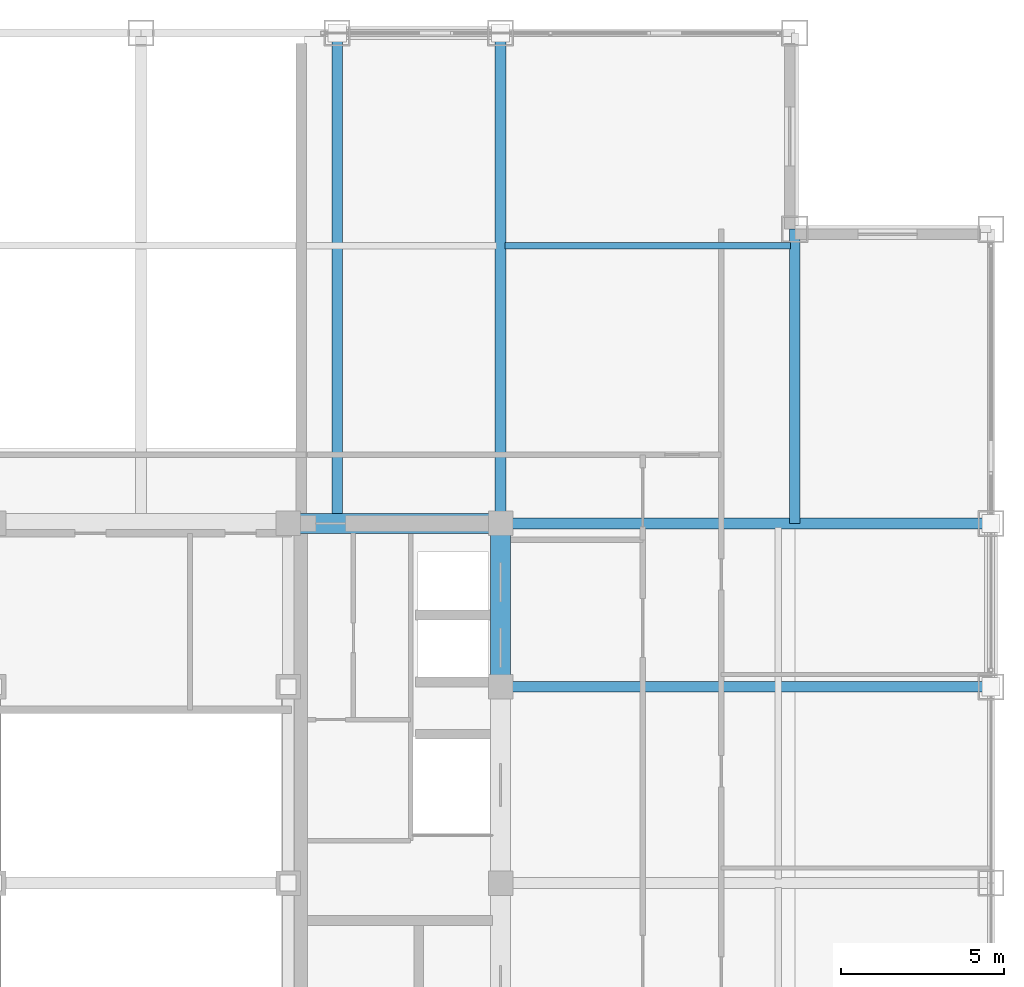
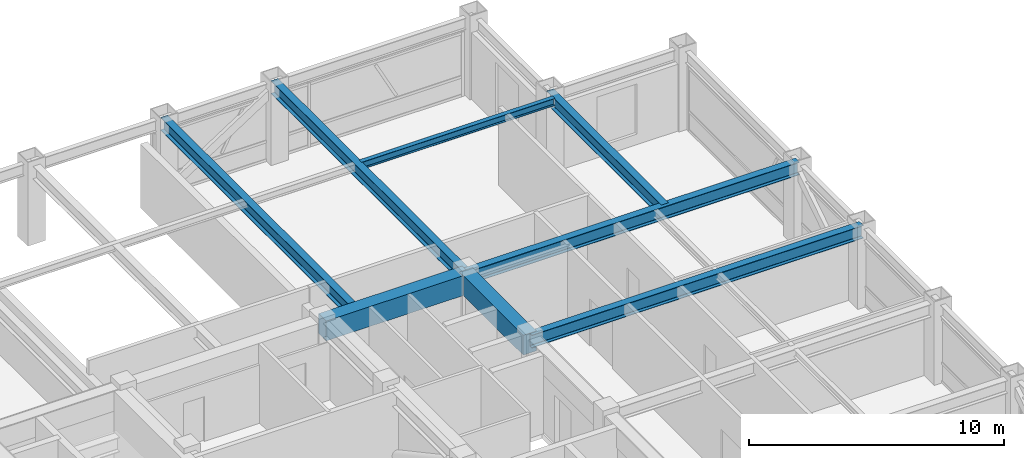
# One storey, part 21 of 29: 8 beams.
"""IFC4 building model written with IfcOpenShell, lengths in metres."""

from ifc_helpers import new_model, si_unit, direction, frame, origin, origin_2d, place, context, subcontext, project, spatial, rectangle, i_section, extrude, source, transform, mapped, material, material_profile, profile_set, type_object, element, save


model = new_model("IFC4")

# Units and contexts
model_context = context("Model", 3, precision=1e-05, world=origin(), true_north=direction((0.0, 1.0)))
body_context = subcontext(model_context, "Body", "Model", "MODEL_VIEW")
ifc_project = project(units=[si_unit("LENGTHUNIT", "METRE"), si_unit("AREAUNIT", "SQUARE_METRE"), si_unit("VOLUMEUNIT", "CUBIC_METRE"), si_unit("PLANEANGLEUNIT", "RADIAN"), si_unit("MASSUNIT", "GRAM", prefix="KILO")], contexts=[model_context])

# Site, building, storey
site_placement = place(None, origin())
site = spatial("IfcSite", under=ifc_project, at=site_placement, CompositionType="ELEMENT")
building_placement = place(site_placement, origin())
building = spatial("IfcBuilding", under=site, at=building_placement, Name="Khorayat Bourse Tower", CompositionType="ELEMENT")
storey_placement = place(building_placement, frame((0.0, 0.0, 354.300048828125)))
storey = spatial("IfcBuildingStorey", under=building, at=storey_placement, Name="L84", CompositionType="ELEMENT", Elevation=354.300048828125)

# Beams
ifc_material_1 = material(Name="Concrete C60/75", Category="concrete")
ifc_material_profile_1 = material_profile(ifc_material_1, rectangle(XDim=0.60009765625, YDim=0.949951171875, at=origin_2d()), Name="RC 600x950")
ifc_profile_set_1 = profile_set([ifc_material_profile_1], Name="Concrete C60/75")
beam_type_1 = type_object("IfcBeamType", Name="BM-COUP-950", PredefinedType="BEAM", material=ifc_profile_set_1)
shared_shape_1 = source(origin(), body_context, "Body", "SweptSolid", [
    extrude(rectangle(XDim=0.60009765625, YDim=0.949951171875, at=origin_2d()), origin(), (0.0, 0.0, 1.0), 5.0),
])
beam_1_placement = place(storey_placement, frame((11.0, 6.0, 3.264892578125), z_axis=(0.0, 1.0, 0.0), x_axis=(-1.0, 0.0, 0.0)))
element("IfcBeam", 1, at=beam_1_placement, inside=storey, type_object=beam_type_1, Name="L84 BM-COUP-950 BM-L84-CRX-16", PredefinedType="BEAM", context=body_context, shape_type="MappedRepresentation", body=[
    mapped(shared_shape_1, transform((0.0, 0.0, 0.0), scale=1.0)),
])
shared_shape_2 = source(origin(), body_context, "Body", "SweptSolid", [
    extrude(rectangle(XDim=0.60009765625, YDim=0.949951171875, at=origin_2d()), origin(), (0.0, 0.0, 1.0), 6.5),
])
beam_2_placement = place(storey_placement, frame((4.5, 11.0, 3.264892578125), z_axis=(1.0, 0.0, 0.0), x_axis=(0.0, 1.0, 0.0)))
element("IfcBeam", 2, at=beam_2_placement, inside=storey, type_object=beam_type_1, Name="L84 BM-COUP-950 BM-L84-CRY-22", PredefinedType="BEAM", context=body_context, shape_type="MappedRepresentation", body=[
    mapped(shared_shape_2, transform((0.0, 0.0, 0.0), scale=1.0)),
])
ifc_material_2 = material(Name="Steel ASTM A992 Grade 50", Category="steel")
ifc_material_profile_2 = material_profile(ifc_material_2, i_section(OverallWidth=0.324951171875, OverallDepth=0.615966796875, WebThickness=0.013916015625, FlangeThickness=0.021484375, FilletRadius=0.01611328125, at=origin_2d()), Name="W610X174")
ifc_profile_set_2 = profile_set([ifc_material_profile_2], Name="Steel ASTM A992 Grade 50")
beam_type_2 = type_object("IfcBeamType", Name="BM-GIRD-610", PredefinedType="BEAM", material=ifc_profile_set_2)
shared_shape_3 = source(origin(), body_context, "Body", "SweptSolid", [
    extrude(i_section(OverallWidth=0.324951171875, OverallDepth=0.615966796875, WebThickness=0.013916015625, FlangeThickness=0.021484375, FilletRadius=0.01611328125, at=origin_2d()), origin(), (0.0, 0.0, 1.0), 15.0),
])
for number, where, z_axis, x_axis, name in (
    (3, (6.0, 11.0, 3.431884765625), (0.0, 1.0, 0.0), (-1.0, 0.0, 0.0), "L84 BM-GIRD-610 BM-L84-RADY-062"),
    (4, (11.0, 11.0, 3.431884765625), (0.0, 1.0, 0.0), (-1.0, 0.0, 0.0), "L84 BM-GIRD-610 BM-L84-RADY-064"),
    (5, (11.0, 6.0, 3.431884765625), (1.0, 0.0, 0.0), (0.0, 1.0, 0.0), "L84 BM-GIRD-610 BM-L84-RADX-072"),
    (6, (11.0, 11.0, 3.431884765625), (1.0, 0.0, 0.0), (0.0, 1.0, 0.0), "L84 BM-GIRD-610 BM-L84-RADX-074"),
):
    element("IfcBeam", number, at=place(storey_placement, frame(where, z_axis=z_axis, x_axis=x_axis)), inside=storey, type_object=beam_type_2, Name=name, PredefinedType="BEAM", context=body_context, shape_type="MappedRepresentation", body=[
        mapped(shared_shape_3, transform((0.0, 0.0, 0.0), scale=1.0)),
    ])
shared_shape_4 = source(origin(), body_context, "Body", "SweptSolid", [
    extrude(i_section(OverallWidth=0.324951171875, OverallDepth=0.615966796875, WebThickness=0.013916015625, FlangeThickness=0.021484375, FilletRadius=0.01611328125, at=origin_2d()), origin(), (0.0, 0.0, 1.0), 9.0),
])
beam_3_placement = place(storey_placement, frame((20.0, 11.0, 3.431884765625), z_axis=(0.0, 1.0, 0.0), x_axis=(-1.0, 0.0, 0.0)))
element("IfcBeam", 7, at=beam_3_placement, inside=storey, type_object=beam_type_2, Name="L84 BM-GIRD-610 BM-L84-CNRY-079", PredefinedType="BEAM", context=body_context, shape_type="MappedRepresentation", body=[
    mapped(shared_shape_4, transform((0.0, 0.0, 0.0), scale=1.0)),
])
ifc_material_profile_3 = material_profile(ifc_material_2, i_section(OverallWidth=0.202880859375, OverallDepth=0.346923828125, WebThickness=0.0078125, FlangeThickness=0.013427734375, FilletRadius=0.010009765625, at=origin_2d()), Name="W360X64")
ifc_profile_set_3 = profile_set([ifc_material_profile_3], Name="Steel ASTM A992 Grade 50")
beam_type_3 = type_object("IfcBeamType", Name="BM-JOIST-360", PredefinedType="JOIST", material=ifc_profile_set_3)
shared_shape_5 = source(origin(), body_context, "Body", "SweptSolid", [
    extrude(i_section(OverallWidth=0.202880859375, OverallDepth=0.346923828125, WebThickness=0.0078125, FlangeThickness=0.013427734375, FilletRadius=0.010009765625, at=origin_2d()), origin(), (0.0, 0.0, 1.0), 8.740234375),
])
beam_4_placement = place(storey_placement, frame((11.1298828125, 19.5, 3.56640625), z_axis=(1.0, 0.0, 0.0), x_axis=(0.0, 1.0, 0.0)))
element("IfcBeam", 8, at=beam_4_placement, inside=storey, type_object=beam_type_3, Name="L84 BM-JOIST-360 BM-L84-JSTX-085", PredefinedType="JOIST", context=body_context, shape_type="MappedRepresentation", body=[
    mapped(shared_shape_5, transform((0.0, 0.0, 0.0), scale=1.0)),
])

save(model, "model.ifc")
